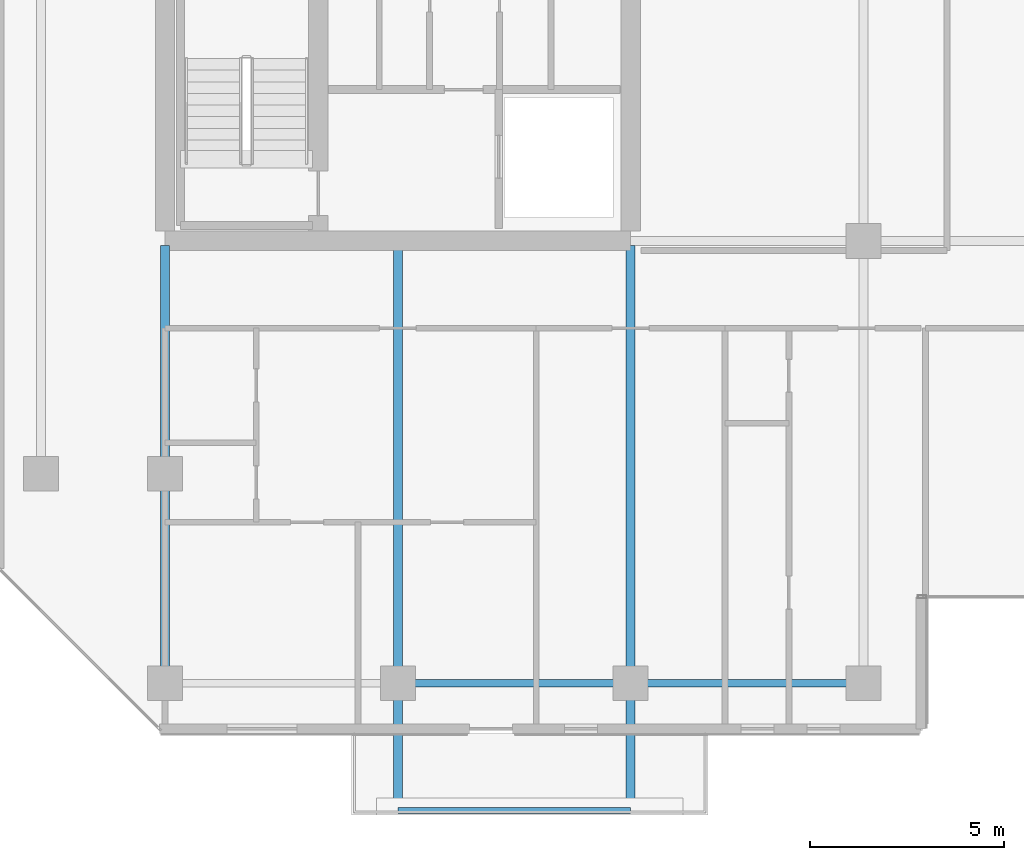
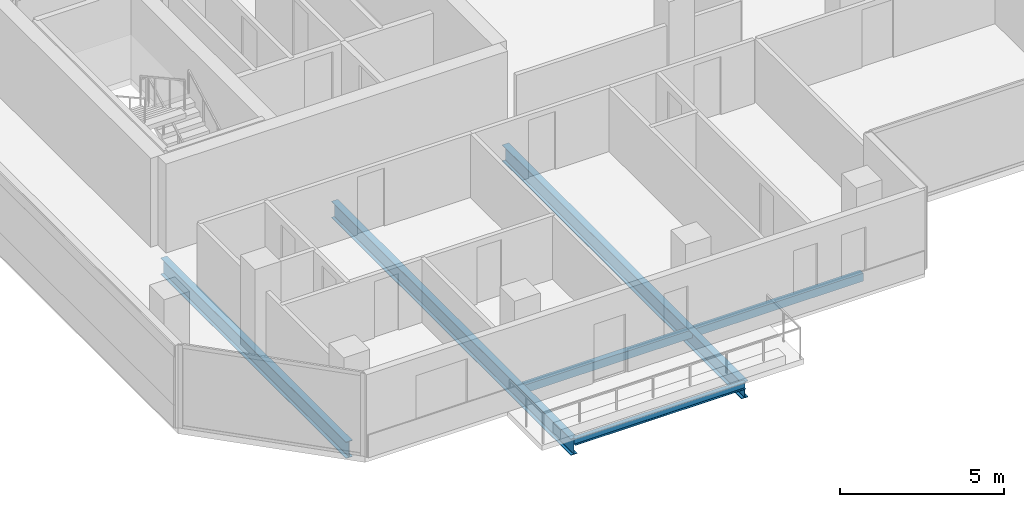
# One storey, part 3 of 29: 6 beams.
"""IFC4 building model written with IfcOpenShell, lengths in metres."""

import ifcopenshell
import ifcopenshell.guid

model = None  # the IFC model being written
_history = None  # IfcOwnerHistory: only IFC2X3 demands one
_inside = {}  # id of a spatial element -> (the spatial element, [elements in it])
_under = {}  # id of a project, library or spatial element -> (it, [spatial elements below it])
_declared = {}  # id of a project -> (the project, [libraries it declares])
_typed = {}  # id of a type object -> (the type object, [elements of that type])
_made_of = {}  # id of a material, layer set ... -> (it, [elements and type objects made of it])


def new_model(schema):
    """Start an empty IFC model of exactly this schema.

    Asked for "IFC4X3", IfcOpenShell would pick the latest addendum, in which some entities
    have other attributes; the version numbers below select the first issue.
    IFC2X3 requires an IfcOwnerHistory on every rooted entity: one is made here for all.
    """
    global model, _history
    if schema == "IFC4X3":
        model = ifcopenshell.file(schema_version=(4, 3, 0, 0))
    else:
        model = ifcopenshell.file(schema=schema)
    _inside.clear()
    _under.clear()
    _declared.clear()
    _typed.clear()
    _made_of.clear()
    _history = None
    if model.schema == "IFC2X3":
        org = make("IfcOrganization", Name="unknown")
        user = make(
            "IfcPersonAndOrganization",
            ThePerson=make("IfcPerson", FamilyName="unknown"),
            TheOrganization=org,
        )
        app = make(
            "IfcApplication",
            ApplicationDeveloper=org,
            Version="unknown",
            ApplicationFullName="unknown",
            ApplicationIdentifier="unknown",
        )
        _history = make(
            "IfcOwnerHistory",
            OwningUser=user,
            OwningApplication=app,
            ChangeAction="ADDED",
            CreationDate=0,
        )
    return model


def make(cls, **values):
    """One entity of the class cls with the attributes given. An attribute that is None is left unset."""
    return model.create_entity(
        cls, **{name: value for name, value in values.items() if value is not None}
    )


def rooted(cls, **values):
    """An entity with a GlobalId (a new one), such as an element, a storey or a relation."""
    return make(cls, GlobalId=ifcopenshell.guid.new(), OwnerHistory=_history, **values)


def si_unit(unit_type, name, prefix=None):
    """IfcSIUnit, for example si_unit("LENGTHUNIT", "METRE", prefix="MILLI")."""
    return make("IfcSIUnit", UnitType=unit_type, Prefix=prefix, Name=name)


def assignment(units):
    """IfcUnitAssignment: the units of a project."""
    return None if units is None else make("IfcUnitAssignment", Units=units)


def point(xyz):
    """IfcCartesianPoint."""
    return None if xyz is None else make("IfcCartesianPoint", Coordinates=xyz)


def direction(xyz):
    """IfcDirection."""
    return None if xyz is None else make("IfcDirection", DirectionRatios=xyz)


def frame(location, z_axis=None, x_axis=None):
    """IfcAxis2Placement3D, a coordinate frame: its origin and axes. An axis left out is left unset."""
    return make(
        "IfcAxis2Placement3D",
        Location=point(location),
        Axis=direction(z_axis),
        RefDirection=direction(x_axis),
    )


def frame_2d(location, x_axis=None):
    """IfcAxis2Placement2D, a coordinate frame in the plane: its origin and x axis."""
    return make(
        "IfcAxis2Placement2D", Location=point(location), RefDirection=direction(x_axis)
    )


def origin():
    """The frame at (0, 0, 0) with its axes left unset."""
    return frame((0.0, 0.0, 0.0))


def origin_2d():
    """The frame at (0, 0) in the plane with its x axis left unset."""
    return frame_2d((0.0, 0.0))


def place(relative_to, where):
    """IfcLocalPlacement: puts the frame where relative to a parent placement (None: the world)."""
    return make(
        "IfcLocalPlacement", PlacementRelTo=relative_to, RelativePlacement=where
    )


def context(
    kind, dimensions, precision=None, world=None, true_north=None, identifier=None
):
    """IfcGeometricRepresentationContext, for example the 3D "Model" context."""
    return make(
        "IfcGeometricRepresentationContext",
        ContextIdentifier=identifier,
        ContextType=kind,
        CoordinateSpaceDimension=dimensions,
        Precision=precision,
        WorldCoordinateSystem=world,
        TrueNorth=true_north,
    )


def subcontext(parent, identifier, kind, view, scale=None):
    """IfcGeometricRepresentationSubContext, for example "Body" below "Model"."""
    return make(
        "IfcGeometricRepresentationSubContext",
        ContextIdentifier=identifier,
        ContextType=kind,
        ParentContext=parent,
        TargetScale=scale,
        TargetView=view,
    )


def project(units=None, contexts=None):
    """IfcProject with its units and contexts."""
    return rooted(
        "IfcProject",
        Name="project",
        RepresentationContexts=contexts,
        UnitsInContext=assignment(units),
    )


def spatial(cls, under=None, at=None, **own):
    """A site, building, storey or space (cls), placed at a placement, below another one or the project."""
    s = rooted(cls, ObjectPlacement=at, **own)
    if under is not None:
        _under.setdefault(under.id(), (under, []))[1].append(s)
    return s


def profile(cls, at=None, kind="AREA", **sizes):
    """A parametric profile (cls). Its sizes go by their IFC names, for example OverallWidth=200.0."""
    return make(cls, ProfileType=kind, Position=at, **sizes)


def hollow_rectangle(**sizes):
    """IfcRectangleHollowProfileDef."""
    return profile("IfcRectangleHollowProfileDef", **sizes)


def i_section(**sizes):
    """IfcIShapeProfileDef."""
    return profile("IfcIShapeProfileDef", **sizes)


def extrude(swept, where, along, depth):
    """IfcExtrudedAreaSolid: the profile swept, set in the frame where, extruded along a direction by depth."""
    return make(
        "IfcExtrudedAreaSolid",
        SweptArea=swept,
        Position=where,
        ExtrudedDirection=direction(along),
        Depth=depth,
    )


def shape(context_of_items, identifier, shape_type, items):
    """IfcShapeRepresentation: the items that make up one representation, for example the "Body"."""
    return make(
        "IfcShapeRepresentation",
        ContextOfItems=context_of_items,
        RepresentationIdentifier=identifier,
        RepresentationType=shape_type,
        Items=items,
    )


def material(Name=None, Category=None):
    """IfcMaterial."""
    return make("IfcMaterial", Name=Name, Category=Category)


def material_profile(
    of_material, cross_section, Name=None, Category=None, Priority=None
):
    """IfcMaterialProfile: a cross section and its material."""
    return make(
        "IfcMaterialProfile",
        Name=Name,
        Material=of_material,
        Profile=cross_section,
        Priority=Priority,
        Category=Category,
    )


def profile_set(profiles, Name=None, composite=None):
    """IfcMaterialProfileSet."""
    return make(
        "IfcMaterialProfileSet",
        Name=Name,
        MaterialProfiles=profiles,
        CompositeProfile=composite,
    )


def made_of(thing, what):
    """Note that an element or type object is made of a material, layer set ...; save() writes the relation."""
    if what is not None:
        _made_of.setdefault(what.id(), (what, []))[1].append(thing)
    return thing


def type_object(cls, material=None, **own):
    """A type object (cls), such as IfcWallType, which elements share."""
    return made_of(rooted(cls, **own), material)


def element(
    cls,
    number,
    at=None,
    inside=None,
    cuts=None,
    type_object=None,
    material=None,
    context=None,
    identifier="Body",
    shape_type=None,
    held_by="IfcProductDefinitionShape",
    body=None,
    shapes=None,
    **own,
):
    """One element of the class cls, such as IfcWall. Its Tag is "e" and its number.

    at: its placement. inside: the storey or other place that contains it. cuts: it is an
    opening in that element (IfcRelVoidsElement). A single representation is given by context,
    identifier, shape_type and body (its items); several are given by shapes. held_by: the class
    of the entity that holds the representations. save() writes the other relations.
    """
    e = rooted(cls, Tag="e%d" % number, ObjectPlacement=at, **own)
    if body is not None:
        shapes = [shape(context, identifier, shape_type, body)]
    if shapes is not None:
        e.Representation = make(held_by, Representations=shapes)
    if inside is not None:
        _inside.setdefault(inside.id(), (inside, []))[1].append(e)
    if cuts is not None:
        rooted(
            "IfcRelVoidsElement", RelatingBuildingElement=cuts, RelatedOpeningElement=e
        )
    if type_object is not None:
        _typed.setdefault(type_object.id(), (type_object, []))[1].append(e)
    return made_of(e, material)


def aggregate(whole, parts):
    """IfcRelAggregates: a whole, such as a stair, and the parts it consists of."""
    return rooted("IfcRelAggregates", RelatingObject=whole, RelatedObjects=parts)


def save(model, path):
    """Write the relations noted so far, then the file.

    IfcRelAggregates (storeys below a building ...), IfcRelContainedInSpatialStructure (elements
    in a storey), IfcRelDefinesByType, IfcRelAssociatesMaterial and IfcRelDeclares: one each for
    every whole, place, type object, material and project.
    """
    for whole, parts in _under.values():
        aggregate(whole, parts)
    for where, things in _inside.values():
        rooted(
            "IfcRelContainedInSpatialStructure",
            RelatedElements=things,
            RelatingStructure=where,
        )
    for kind, things in _typed.values():
        rooted("IfcRelDefinesByType", RelatedObjects=things, RelatingType=kind)
    for what, things in _made_of.values():
        rooted("IfcRelAssociatesMaterial", RelatedObjects=things, RelatingMaterial=what)
    for by, libraries in _declared.values():
        rooted("IfcRelDeclares", RelatingContext=by, RelatedDefinitions=libraries)
    model.write(path)


model = new_model("IFC4")

# Units and contexts
model_context = context("Model", 3, precision=1e-05, world=origin(), true_north=direction((0.0, 1.0)))
body_context = subcontext(model_context, "Body", "Model", "MODEL_VIEW")
ifc_project = project(units=[si_unit("LENGTHUNIT", "METRE"), si_unit("AREAUNIT", "SQUARE_METRE"), si_unit("VOLUMEUNIT", "CUBIC_METRE"), si_unit("PLANEANGLEUNIT", "RADIAN"), si_unit("MASSUNIT", "GRAM", prefix="KILO")], contexts=[model_context])

# Site, building, storey
site_placement = place(None, origin())
site = spatial("IfcSite", under=ifc_project, at=site_placement, CompositionType="ELEMENT")
building_placement = place(site_placement, origin())
building = spatial("IfcBuilding", under=site, at=building_placement, Name="Tanjung Sevakor Pilgrim Tower", CompositionType="ELEMENT")
storey_placement = place(building_placement, frame((0.0, 0.0, 151.800048828125)))
storey = spatial("IfcBuildingStorey", under=building, at=storey_placement, Name="L42", CompositionType="ELEMENT", Elevation=151.800048828125)

# Beams
ifc_material_1 = material(Name="Steel S355J2", Category="steel")
ifc_material_profile_1 = material_profile(ifc_material_1, i_section(OverallWidth=0.22900390625, OverallDepth=0.6123046875, WebThickness=0.011962890625, FlangeThickness=0.01953125, FilletRadius=0.0126953125, at=origin_2d()))
ifc_profile_set_1 = profile_set([ifc_material_profile_1], Name="Steel S355J2")
beam_type_1 = type_object("IfcBeamType", Name="BM-B-G4-UB_610x229x125", PredefinedType="BEAM", material=ifc_profile_set_1)
beam_1_placement = place(storey_placement, frame((24.0, 13.199951171875, -0.526123046875), z_axis=(0.0, 1.0, 0.0), x_axis=(-1.0, 0.0, 0.0)))
element("IfcBeam", 1, at=beam_1_placement, inside=storey, type_object=beam_type_1, Name="L42 MAIN Girder 001", PredefinedType="BEAM", context=body_context, shape_type="SweptSolid", body=[
    extrude(i_section(OverallWidth=0.22900390625, OverallDepth=0.6123046875, WebThickness=0.011962890625, FlangeThickness=0.01953125, FilletRadius=0.0126953125, at=origin_2d()), origin(), (0.0, 0.0, 1.0), 11.284912109375),
])
for number, where, z_axis, x_axis, name in (
    (2, (30.0, 24.48486328125, -0.526123046875), (0.0, -1.0, 0.0), (1.0, 0.0, 0.0), "L42 Balcony Cantilever Beam MAIN-S1-1"),
    (3, (36.0, 24.48486328125, -0.526123046875), (0.0, -1.0, 0.0), (1.0, 0.0, 0.0), "L42 Balcony Cantilever Beam MAIN-S1-2"),
):
    element("IfcBeam", number, at=place(storey_placement, frame(where, z_axis=z_axis, x_axis=x_axis)), inside=storey, type_object=beam_type_1, Name=name, PredefinedType="BEAM", context=body_context, shape_type="SweptSolid", body=[
        extrude(i_section(OverallWidth=0.22900390625, OverallDepth=0.6123046875, WebThickness=0.011962890625, FlangeThickness=0.01953125, FilletRadius=0.0126953125, at=origin_2d()), origin(), (0.0, 0.0, 1.0), 14.56494140625),
    ])
ifc_material_2 = material(Name="Steel S355J2", Category="steel")
ifc_material_profile_2 = material_profile(ifc_material_2, i_section(OverallWidth=0.146484375, OverallDepth=0.256103515625, WebThickness=0.00634765625, FlangeThickness=0.010986328125, FilletRadius=0.007568359375, at=origin_2d()))
ifc_profile_set_2 = profile_set([ifc_material_profile_2], Name="Steel S355J2")
beam_type_2 = type_object("IfcBeamType", Name="BM-B-J6-UB_254x146x37", PredefinedType="JOIST", material=ifc_profile_set_2)
beam_2_placement = place(storey_placement, frame((30.0, 9.919921875, -0.328125), z_axis=(1.0, 0.0, 0.0), x_axis=(0.0, 1.0, 0.0)))
element("IfcBeam", 4, at=beam_2_placement, inside=storey, type_object=beam_type_2, Name="L42 Balcony Rim Tie MAIN-S1", PredefinedType="JOIST", context=body_context, shape_type="SweptSolid", body=[
    extrude(i_section(OverallWidth=0.146484375, OverallDepth=0.256103515625, WebThickness=0.00634765625, FlangeThickness=0.010986328125, FilletRadius=0.007568359375, at=origin_2d()), origin(), (0.0, 0.0, 1.0), 6.0),
])
ifc_material_3 = material(Name="Steel S355J2", Category="steel")
ifc_material_profile_3 = material_profile(ifc_material_3, hollow_rectangle(XDim=0.199951171875, YDim=0.300048828125, WallThickness=0.012451171875, at=origin_2d()))
ifc_profile_set_3 = profile_set([ifc_material_profile_3], Name="Steel S355J2")
beam_type_3 = type_object("IfcBeamType", Name="BM-B-SP3-RHS_300x200x12.5", PredefinedType="SPANDREL", material=ifc_profile_set_3)
for number, where, z_axis, x_axis, name in (
    (5, (30.0, 13.199951171875, -0.3701171875), (1.0, 0.0, 0.0), (0.0, 1.0, 0.0), "L42 Spandrel MAIN S-03"),
    (6, (36.0, 13.199951171875, -0.3701171875), (1.0, 0.0, 0.0), (0.0, 1.0, 0.0), "L42 Spandrel MAIN S-05"),
):
    element("IfcBeam", number, at=place(storey_placement, frame(where, z_axis=z_axis, x_axis=x_axis)), inside=storey, type_object=beam_type_3, Name=name, PredefinedType="SPANDREL", context=body_context, shape_type="SweptSolid", body=[
        extrude(hollow_rectangle(XDim=0.199951171875, YDim=0.300048828125, WallThickness=0.012451171875, at=origin_2d()), origin(), (0.0, 0.0, 1.0), 6.0),
    ])

save(model, "model.ifc")
